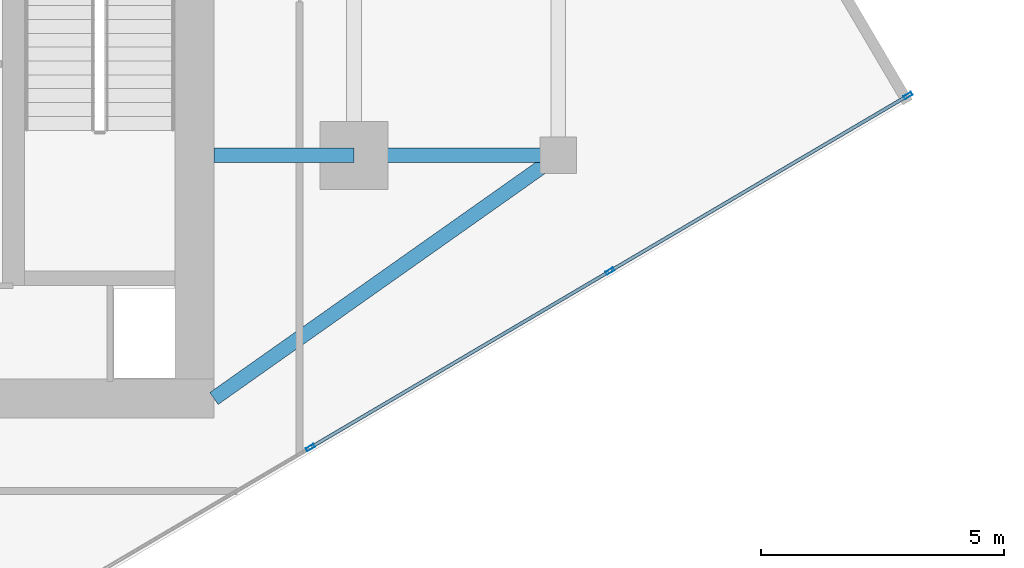
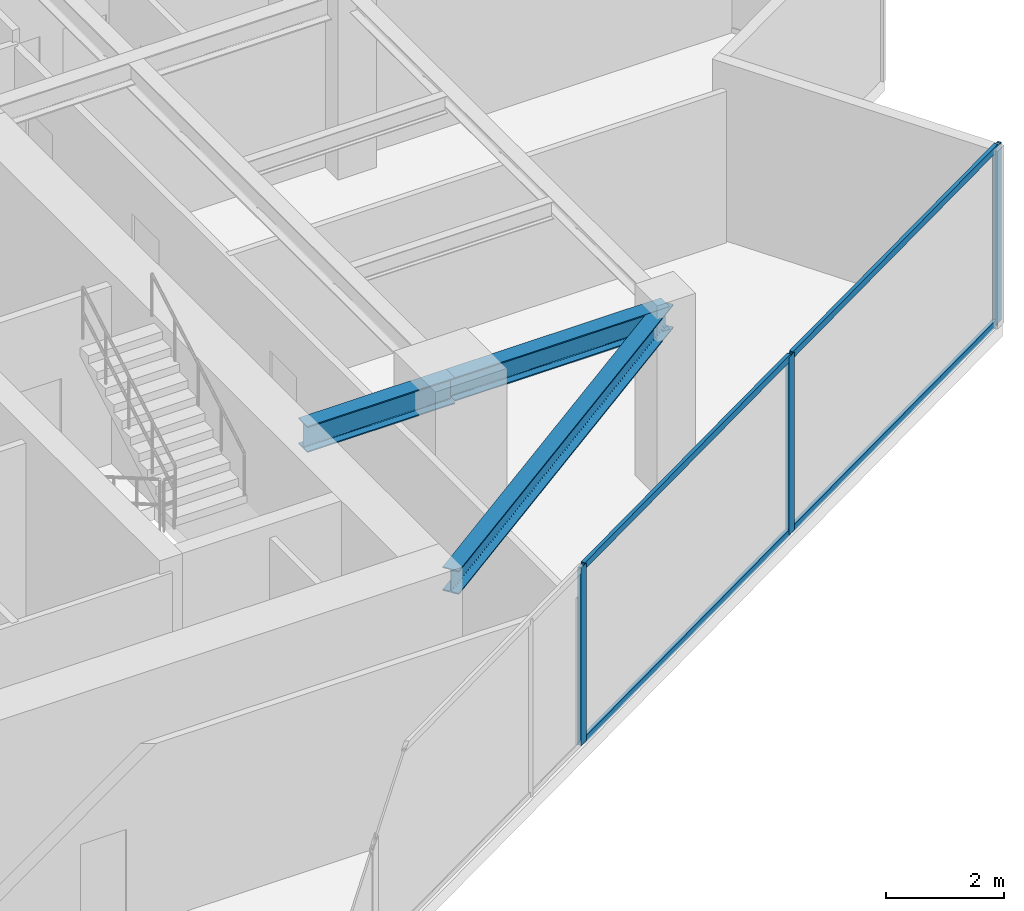
# One storey, part 8 of 20: 7 members, 3 beams, 1 element without a shape of its own.
"""IFC4 building model written with IfcOpenShell, lengths in metres."""

from ifc_helpers import new_model, si_unit, direction, frame, origin, origin_2d, place, context, subcontext, project, spatial, hollow_rectangle, i_section, extrude, source, transform, mapped, material, material_profile, profile_set, type_object, type_shapes, element, aggregate, save


model = new_model("IFC4")

# Units and contexts
model_context = context("Model", 3, precision=1e-05, world=origin(), true_north=direction((0.0, 1.0)))
body_context = subcontext(model_context, "Body", "Model", "MODEL_VIEW")
ifc_project = project(units=[si_unit("LENGTHUNIT", "METRE"), si_unit("AREAUNIT", "SQUARE_METRE"), si_unit("VOLUMEUNIT", "CUBIC_METRE"), si_unit("PLANEANGLEUNIT", "RADIAN"), si_unit("MASSUNIT", "GRAM", prefix="KILO")], contexts=[model_context])

# Site, building, storey
site_placement = place(None, origin())
site = spatial("IfcSite", under=ifc_project, at=site_placement, CompositionType="ELEMENT")
building_placement = place(site_placement, origin())
building = spatial("IfcBuilding", under=site, at=building_placement, Name="Krantzveldt Concourse Tower", CompositionType="ELEMENT")
storey_placement = place(building_placement, frame((0.0, 0.0, 295.050048828125)))
storey = spatial("IfcBuildingStorey", under=building, at=storey_placement, Name="L72", CompositionType="ELEMENT", Elevation=295.050048828125)

# Beams
ifc_material_1 = material(Name="Steel S355JR", Category="steel")
ifc_material_profile_1 = material_profile(ifc_material_1, i_section(OverallWidth=0.300048828125, OverallDepth=0.489990234375, WebThickness=0.011962890625, FlangeThickness=0.02294921875, FilletRadius=0.027099609375, at=origin_2d()), Name="Steel S355JR", Category="steel")
ifc_profile_set_1 = profile_set([ifc_material_profile_1], Name="Steel S355JR - HEA 500")
beam_type_1 = type_object("IfcBeamType", Name="BM-B-HEA500", PredefinedType="BEAM", material=ifc_profile_set_1)
shared_shape_1 = source(origin(), body_context, "Body", "SweptSolid", [
    extrude(i_section(OverallWidth=0.300048828125, OverallDepth=0.489990234375, WebThickness=0.011962890625, FlangeThickness=0.02294921875, FilletRadius=0.027099609375, at=origin_2d()), origin(), (0.0, 0.0, 1.0), 4.199951171875),
])
beam_1_placement = place(storey_placement, frame((46.800048828125, 15.89990234375, 3.425048828125), z_axis=(1.0, 0.0, 0.0), x_axis=(0.0, 1.0, 0.0)))
element("IfcBeam", 1, at=beam_1_placement, inside=storey, type_object=beam_type_1, Name="L72 Tower Girder BR-RR1", PredefinedType="BEAM", context=body_context, shape_type="MappedRepresentation", body=[
    mapped(shared_shape_1, transform((0.0, 0.0, 0.0), x_axis=(1.0, 0.0, 0.0), y_axis=(0.0, 1.0, 0.0), z_axis=(0.0, 0.0, 1.0), scale=1.0)),
])
shared_shape_2 = source(origin(), body_context, "Body", "SweptSolid", [
    extrude(i_section(OverallWidth=0.300048828125, OverallDepth=0.489990234375, WebThickness=0.011962890625, FlangeThickness=0.02294921875, FilletRadius=0.027099609375, at=origin_2d()), origin(), (0.0, 0.0, 1.0), 8.667724609375),
])
type_shapes(beam_type_1, [shared_shape_1, shared_shape_2])
beam_2_placement = place(storey_placement, frame((51.0, 15.89990234375, 3.425048828125), z_axis=(-0.81684294656, -0.576860122261, 0.0), x_axis=(0.576860122261, -0.81684294656, 0.0)))
element("IfcBeam", 2, at=beam_2_placement, inside=storey, type_object=beam_type_1, Name="L72 Tower Girder BR-CSE", PredefinedType="BEAM", context=body_context, shape_type="MappedRepresentation", body=[
    mapped(shared_shape_2, transform((0.0, 0.0, 0.0), x_axis=(1.0, 0.0, 0.0), y_axis=(0.0, 1.0, 0.0), z_axis=(0.0, 0.0, 1.0), scale=1.0)),
])
ifc_material_profile_2 = material_profile(ifc_material_1, i_section(OverallWidth=0.300048828125, OverallDepth=0.5400390625, WebThickness=0.012451171875, FlangeThickness=0.02392578125, FilletRadius=0.027099609375, at=origin_2d()), Name="Steel S355JR", Category="steel")
ifc_profile_set_2 = profile_set([ifc_material_profile_2], Name="Steel S355JR - HEA 550")
beam_type_2 = type_object("IfcBeamType", Name="BM-B-HEA550", PredefinedType="BEAM", material=ifc_profile_set_2)
shared_shape_3 = source(origin(), body_context, "Body", "SweptSolid", [
    extrude(i_section(OverallWidth=0.300048828125, OverallDepth=0.5400390625, WebThickness=0.012451171875, FlangeThickness=0.02392578125, FilletRadius=0.027099609375, at=origin_2d()), origin(), (0.0, 0.0, 1.0), 2.880126953125),
])
type_shapes(beam_type_2, [shared_shape_3])
beam_3_placement = place(storey_placement, frame((43.919921875, 15.89990234375, 3.39990234375), z_axis=(1.0, 0.0, 0.0), x_axis=(0.0, 1.0, 0.0)))
element("IfcBeam", 3, at=beam_3_placement, inside=storey, type_object=beam_type_2, Name="L72 Tower Girder BG-CE1", PredefinedType="BEAM", context=body_context, shape_type="MappedRepresentation", body=[
    mapped(shared_shape_3, transform((0.0, 0.0, 0.0), x_axis=(1.0, 0.0, 0.0), y_axis=(0.0, 1.0, 0.0), z_axis=(0.0, 0.0, 1.0), scale=1.0)),
])

# Curtain wall, members
ifc_material_2 = material(Name="Anodised aluminium 6063-T6", Category="aluminium")
curtain_wall_type = type_object("IfcCurtainWallType", Name="CW4", PredefinedType="USERDEFINED", material=ifc_material_2)
curtain_wall_placement = place(storey_placement, origin())
curtain_wall = element("IfcCurtainWall", 4, at=curtain_wall_placement, inside=storey, type_object=curtain_wall_type, Name="CW-L72-F07", ObjectType="UNITISED CURTAIN WALL", PredefinedType="USERDEFINED")
ifc_material_profile_3 = material_profile(ifc_material_2, hollow_rectangle(XDim=0.070068359375, YDim=0.179931640625, WallThickness=0.0048828125, at=origin_2d()), Name="Anodised aluminium 6063-T6", Category="aluminium")
ifc_profile_set_3 = profile_set([ifc_material_profile_3], Name="Anodised aluminium 6063-T6 - ALU-MULL 180x70x5")
member_type_1 = type_object("IfcMemberType", Name="CW-MUL-180", PredefinedType="MULLION", material=ifc_profile_set_3)
shared_shape_4 = source(origin(), body_context, "Body", "SweptSolid", [
    extrude(hollow_rectangle(XDim=0.070068359375, YDim=0.179931640625, WallThickness=0.0048828125, at=origin_2d()), origin(), (0.0, 0.0, 1.0), 3.669921875),
])
type_shapes(member_type_1, [shared_shape_4])
member_1_placement = place(storey_placement, frame((45.902099609375, 9.8896484375, 0.0), z_axis=(0.0, 0.0, 1.0), x_axis=(-0.507538344223, 0.861629171479, 0.0)))
member_1 = element("IfcMember", 5, at=member_1_placement, type_object=member_type_1, Name="CW-Z56 mullion 3", PredefinedType="MULLION", context=body_context, shape_type="MappedRepresentation", body=[
    mapped(shared_shape_4, transform((0.0, 0.0, 0.0), x_axis=(1.0, 0.0, 0.0), y_axis=(0.0, 1.0, 0.0), z_axis=(0.0, 0.0, 1.0), scale=1.0)),
])
member_2_placement = place(storey_placement, frame((52.062744140625, 13.5185546875, 0.0), z_axis=(0.0, 0.0, 1.0), x_axis=(-0.507538344223, 0.861629171479, 0.0)))
member_2 = element("IfcMember", 6, at=member_2_placement, type_object=member_type_1, Name="CW-Z56 mullion 4", PredefinedType="MULLION", context=body_context, shape_type="MappedRepresentation", body=[
    mapped(shared_shape_4, transform((0.0, 0.0, 0.0), x_axis=(1.0, 0.0, 0.0), y_axis=(0.0, 1.0, 0.0), z_axis=(0.0, 0.0, 1.0), scale=1.0)),
])
member_3_placement = place(storey_placement, frame((58.193115234375, 17.129638671875, 0.0), z_axis=(0.0, 0.0, 1.0), x_axis=(-0.507538344223, 0.861629171479, 0.0)))
member_3 = element("IfcMember", 7, at=member_3_placement, type_object=member_type_1, Name="CW-Z56 mullion 5", PredefinedType="MULLION", context=body_context, shape_type="MappedRepresentation", body=[
    mapped(shared_shape_4, transform((0.0, 0.0, 0.0), x_axis=(1.0, 0.0, 0.0), y_axis=(0.0, 1.0, 0.0), z_axis=(0.0, 0.0, 1.0), scale=1.0)),
])
ifc_material_profile_4 = material_profile(ifc_material_2, hollow_rectangle(XDim=0.070068359375, YDim=0.139892578125, WallThickness=0.0048828125, at=origin_2d()), Name="Anodised aluminium 6063-T6", Category="aluminium")
ifc_profile_set_4 = profile_set([ifc_material_profile_4], Name="Anodised aluminium 6063-T6 - ALU-TRAN 140x70x5")
member_type_2 = type_object("IfcMemberType", Name="CW-TRN-150", PredefinedType="USERDEFINED", material=ifc_profile_set_4)
shared_shape_5 = source(origin(), body_context, "Body", "SweptSolid", [
    extrude(hollow_rectangle(XDim=0.070068359375, YDim=0.139892578125, WallThickness=0.0048828125, at=origin_2d()), origin(), (0.0, 0.0, 1.0), 7.044921875),
])
member_4_placement = place(storey_placement, frame((52.0927734375, 13.536376953125, 0.034912109375), z_axis=(0.861644546402, 0.507512241878, 0.0), x_axis=(-0.507512241878, 0.861644546402, 0.0)))
member_4 = element("IfcMember", 8, at=member_4_placement, type_object=member_type_2, Name="CW-Z56 transom 4.1", ObjectType="TRANSOM", PredefinedType="USERDEFINED", context=body_context, shape_type="MappedRepresentation", body=[
    mapped(shared_shape_5, transform((0.0, 0.0, 0.0), x_axis=(1.0, 0.0, 0.0), y_axis=(0.0, 1.0, 0.0), z_axis=(0.0, 0.0, 1.0), scale=1.0)),
])
member_5_placement = place(storey_placement, frame((52.0927734375, 13.536376953125, 3.635009765625), z_axis=(0.861644546402, 0.507512241878, 0.0), x_axis=(-0.507512241878, 0.861644546402, 0.0)))
member_5 = element("IfcMember", 9, at=member_5_placement, type_object=member_type_2, Name="CW-Z56 transom 4.2", ObjectType="TRANSOM", PredefinedType="USERDEFINED", context=body_context, shape_type="MappedRepresentation", body=[
    mapped(shared_shape_5, transform((0.0, 0.0, 0.0), x_axis=(1.0, 0.0, 0.0), y_axis=(0.0, 1.0, 0.0), z_axis=(0.0, 0.0, 1.0), scale=1.0)),
])
shared_shape_6 = source(origin(), body_context, "Body", "SweptSolid", [
    extrude(hollow_rectangle(XDim=0.070068359375, YDim=0.139892578125, WallThickness=0.0048828125, at=origin_2d()), origin(), (0.0, 0.0, 1.0), 7.079833984375),
])
type_shapes(member_type_2, [shared_shape_5, shared_shape_6])
member_6_placement = place(storey_placement, frame((45.93212890625, 9.907470703125, 0.034912109375), z_axis=(0.861636215127, 0.507526386291, 0.0), x_axis=(-0.507526386291, 0.861636215127, 0.0)))
member_6 = element("IfcMember", 10, at=member_6_placement, type_object=member_type_2, Name="CW-Z56 transom 3.1", ObjectType="TRANSOM", PredefinedType="USERDEFINED", context=body_context, shape_type="MappedRepresentation", body=[
    mapped(shared_shape_6, transform((0.0, 0.0, 0.0), x_axis=(1.0, 0.0, 0.0), y_axis=(0.0, 1.0, 0.0), z_axis=(0.0, 0.0, 1.0), scale=1.0)),
])
member_7_placement = place(storey_placement, frame((45.93212890625, 9.907470703125, 3.635009765625), z_axis=(0.861636215127, 0.507526386291, 0.0), x_axis=(-0.507526386291, 0.861636215127, 0.0)))
member_7 = element("IfcMember", 11, at=member_7_placement, type_object=member_type_2, Name="CW-Z56 transom 3.2", ObjectType="TRANSOM", PredefinedType="USERDEFINED", context=body_context, shape_type="MappedRepresentation", body=[
    mapped(shared_shape_6, transform((0.0, 0.0, 0.0), x_axis=(1.0, 0.0, 0.0), y_axis=(0.0, 1.0, 0.0), z_axis=(0.0, 0.0, 1.0), scale=1.0)),
])
aggregate(curtain_wall, [member_1, member_2, member_3, member_6, member_7, member_4, member_5])

save(model, "model.ifc")
